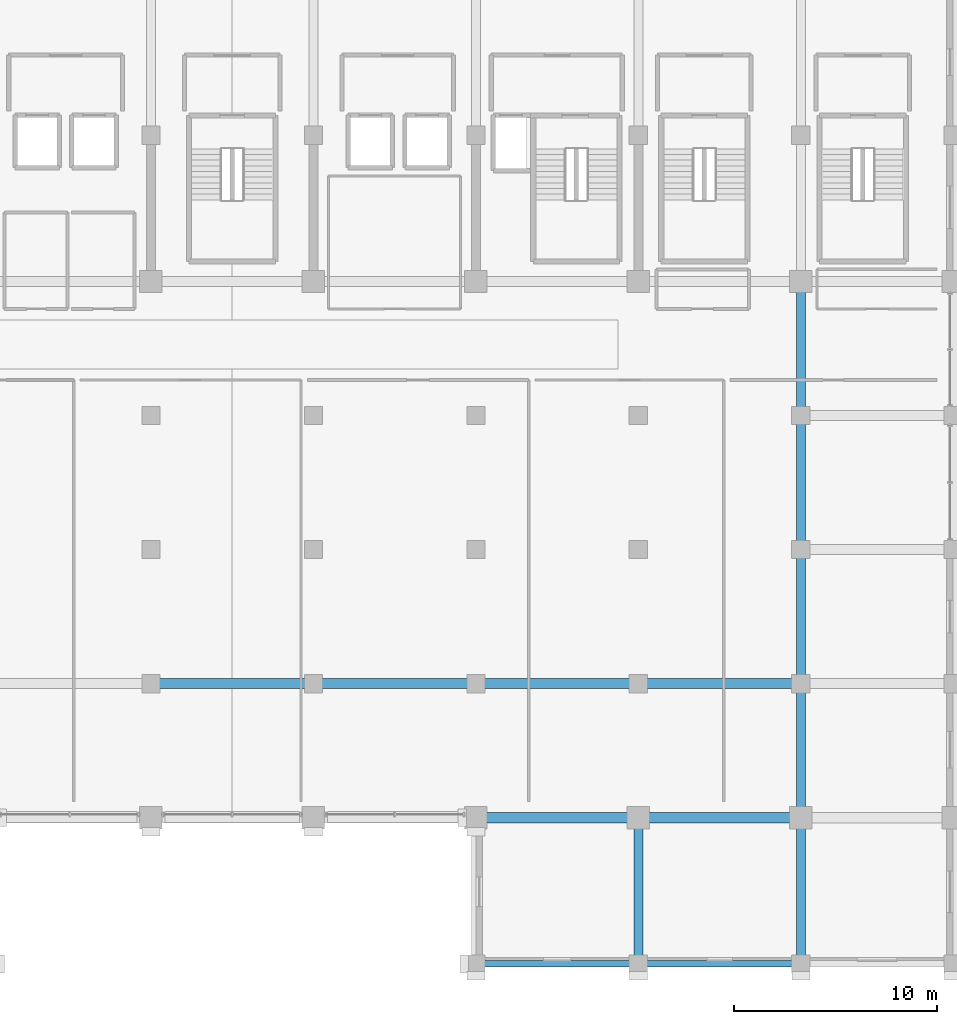
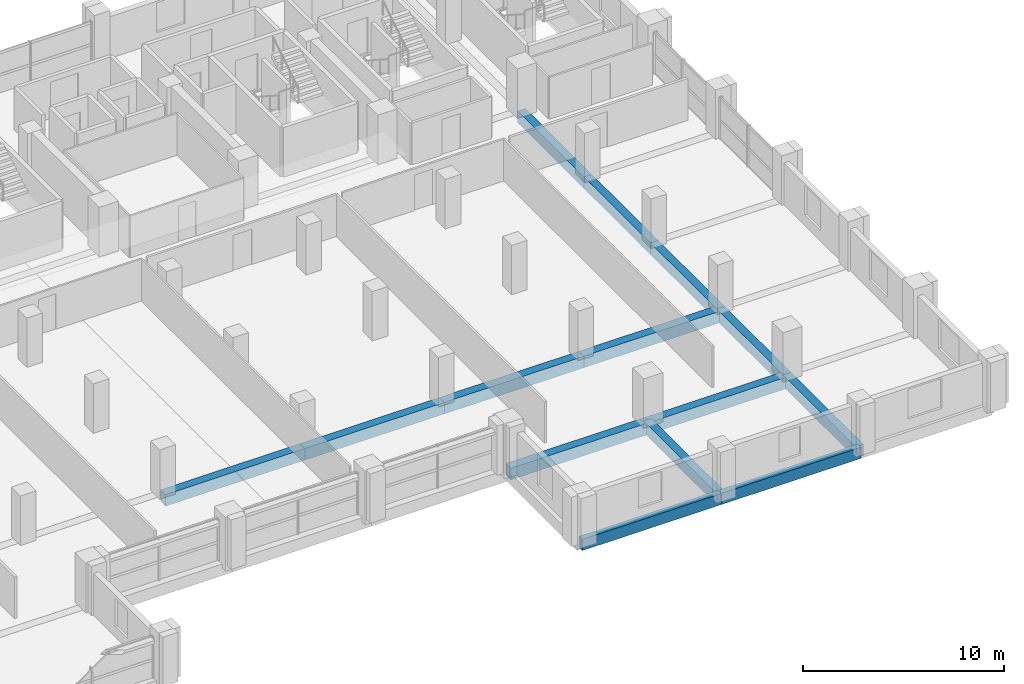
# One storey, part 7 of 22: 14 beams.
"""IFC4 building model written with IfcOpenShell, lengths in metres."""

from ifc_helpers import new_model, si_unit, direction, frame, origin, origin_2d, place, context, subcontext, project, spatial, rectangle, extrude, material, material_profile, profile_set, type_object, element, save


model = new_model("IFC4")

# Units and contexts
model_context = context("Model", 3, precision=1e-05, world=origin(), true_north=direction((0.0, 1.0)))
body_context = subcontext(model_context, "Body", "Model", "MODEL_VIEW")
ifc_project = project(units=[si_unit("LENGTHUNIT", "METRE"), si_unit("AREAUNIT", "SQUARE_METRE"), si_unit("VOLUMEUNIT", "CUBIC_METRE"), si_unit("PLANEANGLEUNIT", "RADIAN"), si_unit("MASSUNIT", "GRAM", prefix="KILO")], contexts=[model_context])

# Site, building, storey
site_placement = place(None, origin())
site = spatial("IfcSite", under=ifc_project, at=site_placement, CompositionType="ELEMENT")
building_placement = place(site_placement, origin())
building = spatial("IfcBuilding", under=site, at=building_placement, Name="Akrevak Sports Hall", CompositionType="ELEMENT")
storey_placement = place(building_placement, frame((0.0, 0.0, 30.800048828125)))
storey = spatial("IfcBuildingStorey", under=building, at=storey_placement, Name="L06", CompositionType="ELEMENT", Elevation=30.800048828125)

# Beams
ifc_material = material(Name="Concrete C40/50", Category="concrete")
ifc_material_profile_1 = material_profile(ifc_material, rectangle(XDim=0.449951171875, YDim=0.699951171875, at=origin_2d()), Name="BM 450x700", Category="concrete")
ifc_profile_set_1 = profile_set([ifc_material_profile_1], Name="Concrete C40/50")
beam_type_1 = type_object("IfcBeamType", Name="STR-BM-RC450x700", PredefinedType="BEAM", material=ifc_profile_set_1)
for number, where, z_axis, x_axis, name in (
    (1, (100.0, 21.60009765625, -0.35009765625), (0.0, 1.0, 0.0), (-1.0, 0.0, 0.0), "Girder 14/D-E (L06)"),
    (2, (108.0, 21.60009765625, -0.35009765625), (0.0, 1.0, 0.0), (-1.0, 0.0, 0.0), "Girder 15/D-E (L06)"),
):
    element("IfcBeam", number, at=place(storey_placement, frame(where, z_axis=z_axis, x_axis=x_axis)), inside=storey, type_object=beam_type_1, Name=name, PredefinedType="BEAM", context=body_context, shape_type="SweptSolid", body=[
        extrude(rectangle(XDim=0.449951171875, YDim=0.699951171875, at=origin_2d()), origin(), (0.0, 0.0, 1.0), 7.199951171875),
    ])
beam_1_placement = place(storey_placement, frame((108.0, 28.800048828125, -0.35009765625), z_axis=(0.0, 1.0, 0.0), x_axis=(-1.0, 0.0, 0.0)))
element("IfcBeam", 3, at=beam_1_placement, inside=storey, type_object=beam_type_1, Name="Girder 15/E-F (L06)", PredefinedType="BEAM", context=body_context, shape_type="SweptSolid", body=[
    extrude(rectangle(XDim=0.449951171875, YDim=0.699951171875, at=origin_2d()), origin(), (0.0, 0.0, 1.0), 6.599853515625),
])
for number, where, z_axis, x_axis, name in (
    (4, (108.0, 35.39990234375, -0.35009765625), (0.0, 1.0, 0.0), (-1.0, 0.0, 0.0), "Girder 15/F-G (L06)"),
    (5, (108.0, 42.0, -0.35009765625), (0.0, 1.0, 0.0), (-1.0, 0.0, 0.0), "Girder 15/G-H (L06)"),
):
    element("IfcBeam", number, at=place(storey_placement, frame(where, z_axis=z_axis, x_axis=x_axis)), inside=storey, type_object=beam_type_1, Name=name, PredefinedType="BEAM", context=body_context, shape_type="SweptSolid", body=[
        extrude(rectangle(XDim=0.449951171875, YDim=0.699951171875, at=origin_2d()), origin(), (0.0, 0.0, 1.0), 6.60009765625),
    ])
beam_2_placement = place(storey_placement, frame((108.0, 48.60009765625, -0.35009765625), z_axis=(0.0, 1.0, 0.0), x_axis=(-1.0, 0.0, 0.0)))
element("IfcBeam", 6, at=beam_2_placement, inside=storey, type_object=beam_type_1, Name="Girder 15/H-I (L06)", PredefinedType="BEAM", context=body_context, shape_type="SweptSolid", body=[
    extrude(rectangle(XDim=0.449951171875, YDim=0.699951171875, at=origin_2d()), origin(), (0.0, 0.0, 1.0), 6.599853515625),
])
ifc_material_profile_2 = material_profile(ifc_material, rectangle(XDim=0.5, YDim=0.699951171875, at=origin_2d()), Name="BM 500x700", Category="concrete")
ifc_profile_set_2 = profile_set([ifc_material_profile_2], Name="Concrete C40/50")
beam_type_2 = type_object("IfcBeamType", Name="STR-BM-RC500x700", PredefinedType="BEAM", material=ifc_profile_set_2)
for number, where, z_axis, x_axis, name in (
    (7, (92.0, 28.800048828125, -0.35009765625), (1.0, 0.0, 0.0), (0.0, 1.0, 0.0), "Girder E/13-14 (L06)"),
    (8, (100.0, 28.800048828125, -0.35009765625), (1.0, 0.0, 0.0), (0.0, 1.0, 0.0), "Girder E/14-15 (L06)"),
    (9, (76.0, 35.39990234375, -0.35009765625), (1.0, 0.0, 0.0), (0.0, 1.0, 0.0), "Girder F/11-12 (L06)"),
    (10, (84.0, 35.39990234375, -0.35009765625), (1.0, 0.0, 0.0), (0.0, 1.0, 0.0), "Girder F/12-13 (L06)"),
    (11, (92.0, 35.39990234375, -0.35009765625), (1.0, 0.0, 0.0), (0.0, 1.0, 0.0), "Girder F/13-14 (L06)"),
    (12, (100.0, 35.39990234375, -0.35009765625), (1.0, 0.0, 0.0), (0.0, 1.0, 0.0), "Girder F/14-15 (L06)"),
):
    element("IfcBeam", number, at=place(storey_placement, frame(where, z_axis=z_axis, x_axis=x_axis)), inside=storey, type_object=beam_type_2, Name=name, PredefinedType="BEAM", context=body_context, shape_type="SweptSolid", body=[
        extrude(rectangle(XDim=0.5, YDim=0.699951171875, at=origin_2d()), origin(), (0.0, 0.0, 1.0), 8.0),
    ])
ifc_material_profile_3 = material_profile(ifc_material, rectangle(XDim=0.320068359375, YDim=0.679931640625, at=origin_2d()), Name="SPD 320x680", Category="concrete")
ifc_profile_set_3 = profile_set([ifc_material_profile_3], Name="Concrete C40/50")
beam_type_3 = type_object("IfcBeamType", Name="STR-SPD-RC320x680", PredefinedType="SPANDREL", material=ifc_profile_set_3)
for number, where, z_axis, x_axis, name in (
    (13, (92.0, 21.60009765625, -0.340087890625), (1.0, 0.0, 0.0), (0.0, 1.0, 0.0), "Girder D/13-14 (L06)"),
    (14, (100.0, 21.60009765625, -0.340087890625), (1.0, 0.0, 0.0), (0.0, 1.0, 0.0), "Girder D/14-15 (L06)"),
):
    element("IfcBeam", number, at=place(storey_placement, frame(where, z_axis=z_axis, x_axis=x_axis)), inside=storey, type_object=beam_type_3, Name=name, PredefinedType="SPANDREL", context=body_context, shape_type="SweptSolid", body=[
        extrude(rectangle(XDim=0.320068359375, YDim=0.679931640625, at=origin_2d()), origin(), (0.0, 0.0, 1.0), 8.0),
    ])

save(model, "model.ifc")
